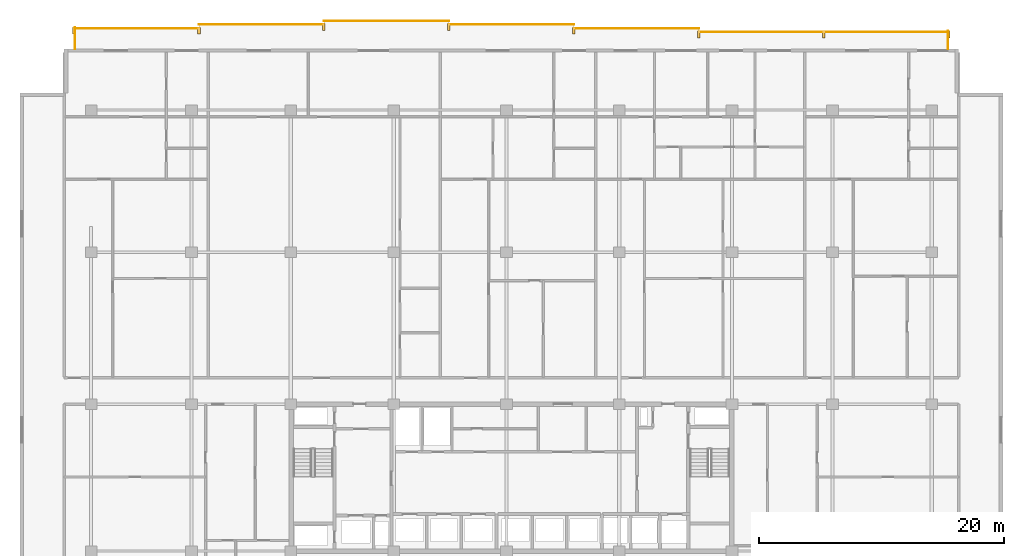
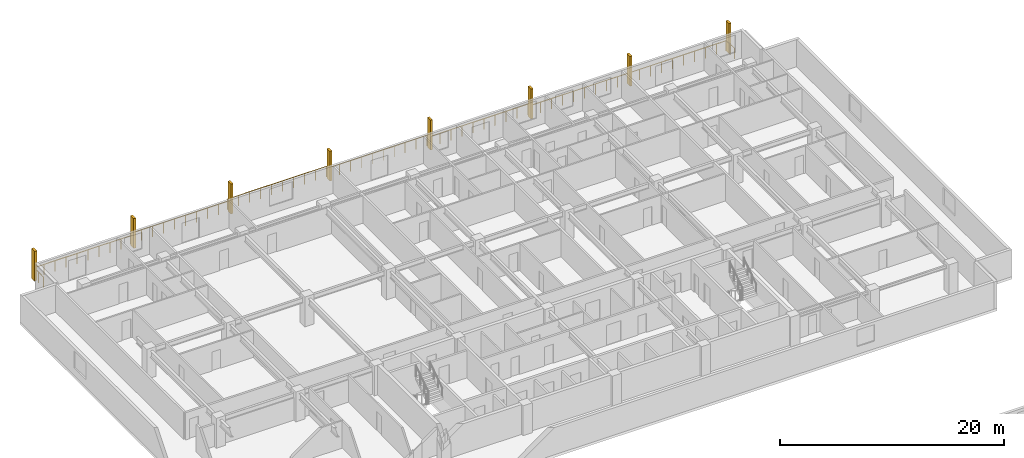
# One storey, part 22 of 22: 8 railings, 8 shading devices.
"""IFC4 building model written with IfcOpenShell, lengths in metres."""

from ifc_helpers import new_model, si_unit, direction, frame, origin, origin_2d, place, context, subcontext, project, spatial, rectangle, circle, extrude, material, type_object, element, save


model = new_model("IFC4")

# Units and contexts
model_context = context("Model", 3, precision=1e-05, world=origin(), true_north=direction((0.0, 1.0)))
body_context = subcontext(model_context, "Body", "Model", "MODEL_VIEW")
ifc_project = project(units=[si_unit("LENGTHUNIT", "METRE"), si_unit("AREAUNIT", "SQUARE_METRE"), si_unit("VOLUMEUNIT", "CUBIC_METRE"), si_unit("PLANEANGLEUNIT", "RADIAN"), si_unit("MASSUNIT", "GRAM", prefix="KILO")], contexts=[model_context])

# Site, building, storey
site_placement = place(None, origin())
site = spatial("IfcSite", under=ifc_project, at=site_placement, CompositionType="ELEMENT")
building_placement = place(site_placement, origin())
building = spatial("IfcBuilding", under=site, at=building_placement, Name="Korimba Cascade Residences", CompositionType="ELEMENT")
storey_placement = place(building_placement, frame((0.0, 0.0, 84.050048828125)))
storey = spatial("IfcBuildingStorey", under=building, at=storey_placement, Name="L23", CompositionType="ELEMENT", Elevation=84.050048828125)

# Railings
ifc_material_1 = material(Name="Laminated Glass and Bronze Balustrade", Category="glass")
railing_type = type_object("IfcRailingType", Name="RLG-LOG-1150", PredefinedType="BALUSTRADE", material=ifc_material_1)
railing_1_placement = place(storey_placement, frame((129.719970703125, 96.199951171875, 0.0)))
element("IfcRailing", 1, at=railing_1_placement, inside=storey, type_object=railing_type, Name="L23 Perimeter Guardrail RLG-L23-T1-LOG-01", PredefinedType="BALUSTRADE", context=body_context, shape_type="SweptSolid", body=[
    extrude(circle(Radius=0.02392578125, at=origin_2d()), frame((0.0, 0.0, 1.1259765625), z_axis=(0.0, 1.0, 0.0), x_axis=(-1.0, 0.0, 0.0)), (0.0, 0.0, 1.0), 1.449951171875),
    extrude(circle(Radius=0.02099609375, at=origin_2d()), origin(), (0.0, 0.0, 1.0), 1.101806640625),
    extrude(circle(Radius=0.02099609375, at=origin_2d()), frame((0.0, 0.72509765625, 0.0)), (0.0, 0.0, 1.0), 1.101806640625),
    extrude(circle(Radius=0.02099609375, at=origin_2d()), frame((0.0, 1.449951171875, 0.0)), (0.0, 0.0, 1.0), 1.101806640625),
])
railing_2_placement = place(storey_placement, frame((129.800048828125, 97.570068359375, 0.0)))
element("IfcRailing", 2, at=railing_2_placement, inside=storey, type_object=railing_type, Name="L23 Perimeter Guardrail RLG-L23-T1-LOG-02", PredefinedType="BALUSTRADE", context=body_context, shape_type="SweptSolid", body=[
    extrude(circle(Radius=0.02392578125, at=origin_2d()), frame((0.0, 0.0, 1.1259765625), z_axis=(-1.0, 0.0, 0.0), x_axis=(0.0, -1.0, 0.0)), (0.0, 0.0, 1.0), 20.400146484375),
    extrude(circle(Radius=0.02099609375, at=origin_2d()), origin(), (0.0, 0.0, 1.0), 1.101806640625),
    extrude(circle(Radius=0.02099609375, at=origin_2d()), frame((-1.13330078125, 0.0, 0.0)), (0.0, 0.0, 1.0), 1.101806640625),
    extrude(circle(Radius=0.02099609375, at=origin_2d()), frame((-2.2666015625, 0.0, 0.0)), (0.0, 0.0, 1.0), 1.101806640625),
    extrude(circle(Radius=0.02099609375, at=origin_2d()), frame((-3.39990234375, 0.0, 0.0)), (0.0, 0.0, 1.0), 1.101806640625),
    extrude(circle(Radius=0.02099609375, at=origin_2d()), frame((-4.533447265625, 0.0, 0.0)), (0.0, 0.0, 1.0), 1.101806640625),
    extrude(circle(Radius=0.02099609375, at=origin_2d()), frame((-5.666748046875, 0.0, 0.0)), (0.0, 0.0, 1.0), 1.101806640625),
    extrude(circle(Radius=0.02099609375, at=origin_2d()), frame((-6.800048828125, 0.0, 0.0)), (0.0, 0.0, 1.0), 1.101806640625),
    extrude(circle(Radius=0.02099609375, at=origin_2d()), frame((-7.933349609375, 0.0, 0.0)), (0.0, 0.0, 1.0), 1.101806640625),
    extrude(circle(Radius=0.02099609375, at=origin_2d()), frame((-9.066650390625, 0.0, 0.0)), (0.0, 0.0, 1.0), 1.101806640625),
    extrude(circle(Radius=0.02099609375, at=origin_2d()), frame((-10.2001953125, 0.0, 0.0)), (0.0, 0.0, 1.0), 1.101806640625),
    extrude(circle(Radius=0.02099609375, at=origin_2d()), frame((-11.33349609375, 0.0, 0.0)), (0.0, 0.0, 1.0), 1.101806640625),
    extrude(circle(Radius=0.02099609375, at=origin_2d()), frame((-12.466796875, 0.0, 0.0)), (0.0, 0.0, 1.0), 1.101806640625),
    extrude(circle(Radius=0.02099609375, at=origin_2d()), frame((-13.60009765625, 0.0, 0.0)), (0.0, 0.0, 1.0), 1.101806640625),
    extrude(circle(Radius=0.02099609375, at=origin_2d()), frame((-14.7333984375, 0.0, 0.0)), (0.0, 0.0, 1.0), 1.101806640625),
    extrude(circle(Radius=0.02099609375, at=origin_2d()), frame((-15.86669921875, 0.0, 0.0)), (0.0, 0.0, 1.0), 1.101806640625),
    extrude(circle(Radius=0.02099609375, at=origin_2d()), frame((-17.0, 0.0, 0.0)), (0.0, 0.0, 1.0), 1.101806640625),
    extrude(circle(Radius=0.02099609375, at=origin_2d()), frame((-18.133544921875, 0.0, 0.0)), (0.0, 0.0, 1.0), 1.101806640625),
    extrude(circle(Radius=0.02099609375, at=origin_2d()), frame((-19.266845703125, 0.0, 0.0)), (0.0, 0.0, 1.0), 1.101806640625),
    extrude(circle(Radius=0.02099609375, at=origin_2d()), frame((-20.400146484375, 0.0, 0.0)), (0.0, 0.0, 1.0), 1.101806640625),
])
for number, where, name in (
    (3, (109.39990234375, 97.8701171875, 0.0), "L23 Perimeter Guardrail RLG-L23-T1-LOG-03"),
    (4, (99.199951171875, 98.169921875, 0.0), "L23 Perimeter Guardrail RLG-L23-T1-LOG-04"),
    (5, (89.0, 98.469970703125, 0.0), "L23 Perimeter Guardrail RLG-L23-T1-LOG-05"),
    (6, (78.800048828125, 98.169921875, 0.0), "L23 Perimeter Guardrail RLG-L23-T1-LOG-06"),
):
    element("IfcRailing", number, at=place(storey_placement, frame(where)), inside=storey, type_object=railing_type, Name=name, PredefinedType="BALUSTRADE", context=body_context, shape_type="SweptSolid", body=[
        extrude(circle(Radius=0.02392578125, at=origin_2d()), frame((0.0, 0.0, 1.1259765625), z_axis=(-1.0, 0.0, 0.0), x_axis=(0.0, -1.0, 0.0)), (0.0, 0.0, 1.0), 10.199951171875),
        extrude(circle(Radius=0.02099609375, at=origin_2d()), origin(), (0.0, 0.0, 1.0), 1.101806640625),
        extrude(circle(Radius=0.02099609375, at=origin_2d()), frame((-1.13330078125, 0.0, 0.0)), (0.0, 0.0, 1.0), 1.101806640625),
        extrude(circle(Radius=0.02099609375, at=origin_2d()), frame((-2.2666015625, 0.0, 0.0)), (0.0, 0.0, 1.0), 1.101806640625),
        extrude(circle(Radius=0.02099609375, at=origin_2d()), frame((-3.39990234375, 0.0, 0.0)), (0.0, 0.0, 1.0), 1.101806640625),
        extrude(circle(Radius=0.02099609375, at=origin_2d()), frame((-4.533203125, 0.0, 0.0)), (0.0, 0.0, 1.0), 1.101806640625),
        extrude(circle(Radius=0.02099609375, at=origin_2d()), frame((-5.666748046875, 0.0, 0.0)), (0.0, 0.0, 1.0), 1.101806640625),
        extrude(circle(Radius=0.02099609375, at=origin_2d()), frame((-6.800048828125, 0.0, 0.0)), (0.0, 0.0, 1.0), 1.101806640625),
        extrude(circle(Radius=0.02099609375, at=origin_2d()), frame((-7.933349609375, 0.0, 0.0)), (0.0, 0.0, 1.0), 1.101806640625),
        extrude(circle(Radius=0.02099609375, at=origin_2d()), frame((-9.066650390625, 0.0, 0.0)), (0.0, 0.0, 1.0), 1.101806640625),
        extrude(circle(Radius=0.02099609375, at=origin_2d()), frame((-10.199951171875, 0.0, 0.0)), (0.0, 0.0, 1.0), 1.101806640625),
    ])
railing_3_placement = place(storey_placement, frame((68.60009765625, 97.8701171875, 0.0)))
element("IfcRailing", 7, at=railing_3_placement, inside=storey, type_object=railing_type, Name="L23 Perimeter Guardrail RLG-L23-T1-LOG-07", PredefinedType="BALUSTRADE", context=body_context, shape_type="SweptSolid", body=[
    extrude(circle(Radius=0.02392578125, at=origin_2d()), frame((0.0, 0.0, 1.1259765625), z_axis=(-1.0, 0.0, 0.0), x_axis=(0.0, -1.0, 0.0)), (0.0, 0.0, 1.0), 10.2001953125),
    extrude(circle(Radius=0.02099609375, at=origin_2d()), origin(), (0.0, 0.0, 1.0), 1.101806640625),
    extrude(circle(Radius=0.02099609375, at=origin_2d()), frame((-1.13330078125, 0.0, 0.0)), (0.0, 0.0, 1.0), 1.101806640625),
    extrude(circle(Radius=0.02099609375, at=origin_2d()), frame((-2.2666015625, 0.0, 0.0)), (0.0, 0.0, 1.0), 1.101806640625),
    extrude(circle(Radius=0.02099609375, at=origin_2d()), frame((-3.400146484375, 0.0, 0.0)), (0.0, 0.0, 1.0), 1.101806640625),
    extrude(circle(Radius=0.02099609375, at=origin_2d()), frame((-4.533447265625, 0.0, 0.0)), (0.0, 0.0, 1.0), 1.101806640625),
    extrude(circle(Radius=0.02099609375, at=origin_2d()), frame((-5.666748046875, 0.0, 0.0)), (0.0, 0.0, 1.0), 1.101806640625),
    extrude(circle(Radius=0.02099609375, at=origin_2d()), frame((-6.800048828125, 0.0, 0.0)), (0.0, 0.0, 1.0), 1.101806640625),
    extrude(circle(Radius=0.02099609375, at=origin_2d()), frame((-7.93359375, 0.0, 0.0)), (0.0, 0.0, 1.0), 1.101806640625),
    extrude(circle(Radius=0.02099609375, at=origin_2d()), frame((-9.06689453125, 0.0, 0.0)), (0.0, 0.0, 1.0), 1.101806640625),
    extrude(circle(Radius=0.02099609375, at=origin_2d()), frame((-10.2001953125, 0.0, 0.0)), (0.0, 0.0, 1.0), 1.101806640625),
])
railing_4_placement = place(storey_placement, frame((58.47998046875, 97.949951171875, 0.0)))
element("IfcRailing", 8, at=railing_4_placement, inside=storey, type_object=railing_type, Name="L23 Perimeter Guardrail RLG-L23-T1-LOG-08", PredefinedType="BALUSTRADE", context=body_context, shape_type="SweptSolid", body=[
    extrude(circle(Radius=0.02392578125, at=origin_2d()), frame((0.0, 0.0, 1.1259765625), z_axis=(0.0, -1.0, 0.0), x_axis=(1.0, 0.0, 0.0)), (0.0, 0.0, 1.0), 1.75),
    extrude(circle(Radius=0.02099609375, at=origin_2d()), origin(), (0.0, 0.0, 1.0), 1.101806640625),
    extrude(circle(Radius=0.02099609375, at=origin_2d()), frame((0.0, -0.875, 0.0)), (0.0, 0.0, 1.0), 1.101806640625),
    extrude(circle(Radius=0.02099609375, at=origin_2d()), frame((0.0, -1.75, 0.0)), (0.0, 0.0, 1.0), 1.101806640625),
])

# Shading devices
ifc_material_2 = material(Name="Honed Sandstone Precast Fin", Category="masonry")
shading_device_type = type_object("IfcShadingDeviceType", Name="SHD-FIN-550", PredefinedType="USERDEFINED", material=ifc_material_2)
for number, where, z_axis, x_axis, name in (
    (9, (58.39990234375, 97.675048828125, 0.0), (0.0, 0.0, 1.0), (1.0, 0.0, 0.0), "L23 T1 Warm-Stone Loggia Fin 1"),
    (10, (68.60009765625, 97.675048828125, 0.0), (0.0, 0.0, 1.0), (1.0, 0.0, 0.0), "L23 T1 Warm-Stone Loggia Fin 2"),
    (11, (78.800048828125, 97.97509765625, 0.0), (0.0, 0.0, 1.0), (1.0, 0.0, 0.0), "L23 T1 Warm-Stone Loggia Fin 3"),
    (12, (89.0, 97.97509765625, 0.0), (0.0, 0.0, 1.0), (1.0, 0.0, 0.0), "L23 T1 Warm-Stone Loggia Fin 4"),
    (13, (99.199951171875, 97.675048828125, 0.0), (0.0, 0.0, 1.0), (1.0, 0.0, 0.0), "L23 T1 Warm-Stone Loggia Fin 5"),
    (14, (109.39990234375, 97.375, 0.0), (0.0, 0.0, 1.0), (1.0, 0.0, 0.0), "L23 T1 Warm-Stone Loggia Fin 6"),
    (15, (119.60009765625, 97.375, 0.0), (0.0, 0.0, 1.0), (1.0, 0.0, 0.0), "L23 T1 Warm-Stone Loggia Fin 7"),
    (16, (129.800048828125, 97.375, 0.0), (0.0, 0.0, 1.0), (1.0, 0.0, 0.0), "L23 T1 Warm-Stone Loggia Fin 8"),
):
    element("IfcShadingDevice", number, at=place(storey_placement, frame(where, z_axis=z_axis, x_axis=x_axis)), inside=storey, type_object=shading_device_type, Name=name, ObjectType="FIN", PredefinedType="USERDEFINED", context=body_context, shape_type="SweptSolid", body=[
        extrude(rectangle(XDim=0.219970703125, YDim=0.550048828125, at=origin_2d()), origin(), (0.0, 0.0, 1.0), 3.25),
    ])

save(model, "model.ifc")
